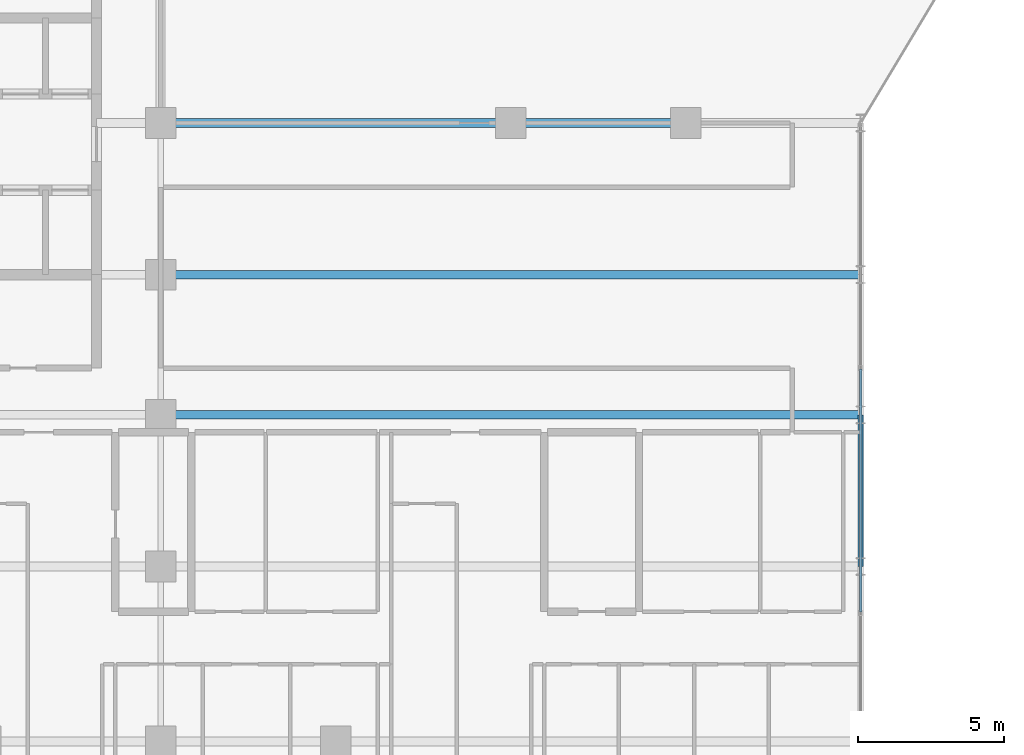
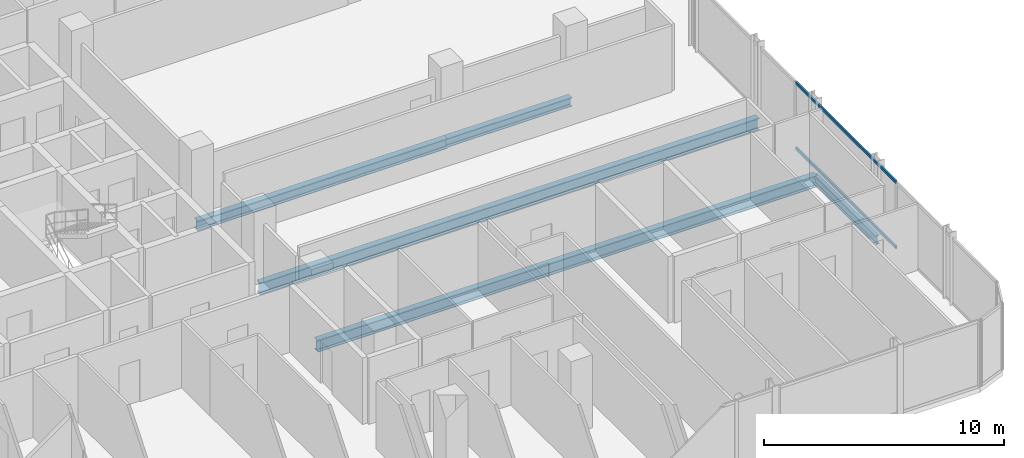
# One storey, part 11 of 29: 5 beams, 2 members, 1 element without a shape of its own.
"""IFC4 building model written with IfcOpenShell, lengths in metres."""

import ifcopenshell
import ifcopenshell.guid

model = None  # the IFC model being written
_history = None  # IfcOwnerHistory: only IFC2X3 demands one
_inside = {}  # id of a spatial element -> (the spatial element, [elements in it])
_under = {}  # id of a project, library or spatial element -> (it, [spatial elements below it])
_declared = {}  # id of a project -> (the project, [libraries it declares])
_typed = {}  # id of a type object -> (the type object, [elements of that type])
_made_of = {}  # id of a material, layer set ... -> (it, [elements and type objects made of it])


def new_model(schema):
    """Start an empty IFC model of exactly this schema.

    Asked for "IFC4X3", IfcOpenShell would pick the latest addendum, in which some entities
    have other attributes; the version numbers below select the first issue.
    IFC2X3 requires an IfcOwnerHistory on every rooted entity: one is made here for all.
    """
    global model, _history
    if schema == "IFC4X3":
        model = ifcopenshell.file(schema_version=(4, 3, 0, 0))
    else:
        model = ifcopenshell.file(schema=schema)
    _inside.clear()
    _under.clear()
    _declared.clear()
    _typed.clear()
    _made_of.clear()
    _history = None
    if model.schema == "IFC2X3":
        org = make("IfcOrganization", Name="unknown")
        user = make(
            "IfcPersonAndOrganization",
            ThePerson=make("IfcPerson", FamilyName="unknown"),
            TheOrganization=org,
        )
        app = make(
            "IfcApplication",
            ApplicationDeveloper=org,
            Version="unknown",
            ApplicationFullName="unknown",
            ApplicationIdentifier="unknown",
        )
        _history = make(
            "IfcOwnerHistory",
            OwningUser=user,
            OwningApplication=app,
            ChangeAction="ADDED",
            CreationDate=0,
        )
    return model


def make(cls, **values):
    """One entity of the class cls with the attributes given. An attribute that is None is left unset."""
    return model.create_entity(
        cls, **{name: value for name, value in values.items() if value is not None}
    )


def rooted(cls, **values):
    """An entity with a GlobalId (a new one), such as an element, a storey or a relation."""
    return make(cls, GlobalId=ifcopenshell.guid.new(), OwnerHistory=_history, **values)


def si_unit(unit_type, name, prefix=None):
    """IfcSIUnit, for example si_unit("LENGTHUNIT", "METRE", prefix="MILLI")."""
    return make("IfcSIUnit", UnitType=unit_type, Prefix=prefix, Name=name)


def assignment(units):
    """IfcUnitAssignment: the units of a project."""
    return None if units is None else make("IfcUnitAssignment", Units=units)


def point(xyz):
    """IfcCartesianPoint."""
    return None if xyz is None else make("IfcCartesianPoint", Coordinates=xyz)


def direction(xyz):
    """IfcDirection."""
    return None if xyz is None else make("IfcDirection", DirectionRatios=xyz)


def frame(location, z_axis=None, x_axis=None):
    """IfcAxis2Placement3D, a coordinate frame: its origin and axes. An axis left out is left unset."""
    return make(
        "IfcAxis2Placement3D",
        Location=point(location),
        Axis=direction(z_axis),
        RefDirection=direction(x_axis),
    )


def frame_2d(location, x_axis=None):
    """IfcAxis2Placement2D, a coordinate frame in the plane: its origin and x axis."""
    return make(
        "IfcAxis2Placement2D", Location=point(location), RefDirection=direction(x_axis)
    )


def origin():
    """The frame at (0, 0, 0) with its axes left unset."""
    return frame((0.0, 0.0, 0.0))


def origin_2d():
    """The frame at (0, 0) in the plane with its x axis left unset."""
    return frame_2d((0.0, 0.0))


def place(relative_to, where):
    """IfcLocalPlacement: puts the frame where relative to a parent placement (None: the world)."""
    return make(
        "IfcLocalPlacement", PlacementRelTo=relative_to, RelativePlacement=where
    )


def context(
    kind, dimensions, precision=None, world=None, true_north=None, identifier=None
):
    """IfcGeometricRepresentationContext, for example the 3D "Model" context."""
    return make(
        "IfcGeometricRepresentationContext",
        ContextIdentifier=identifier,
        ContextType=kind,
        CoordinateSpaceDimension=dimensions,
        Precision=precision,
        WorldCoordinateSystem=world,
        TrueNorth=true_north,
    )


def subcontext(parent, identifier, kind, view, scale=None):
    """IfcGeometricRepresentationSubContext, for example "Body" below "Model"."""
    return make(
        "IfcGeometricRepresentationSubContext",
        ContextIdentifier=identifier,
        ContextType=kind,
        ParentContext=parent,
        TargetScale=scale,
        TargetView=view,
    )


def project(units=None, contexts=None):
    """IfcProject with its units and contexts."""
    return rooted(
        "IfcProject",
        Name="project",
        RepresentationContexts=contexts,
        UnitsInContext=assignment(units),
    )


def spatial(cls, under=None, at=None, **own):
    """A site, building, storey or space (cls), placed at a placement, below another one or the project."""
    s = rooted(cls, ObjectPlacement=at, **own)
    if under is not None:
        _under.setdefault(under.id(), (under, []))[1].append(s)
    return s


def profile(cls, at=None, kind="AREA", **sizes):
    """A parametric profile (cls). Its sizes go by their IFC names, for example OverallWidth=200.0."""
    return make(cls, ProfileType=kind, Position=at, **sizes)


def hollow_rectangle(**sizes):
    """IfcRectangleHollowProfileDef."""
    return profile("IfcRectangleHollowProfileDef", **sizes)


def i_section(**sizes):
    """IfcIShapeProfileDef."""
    return profile("IfcIShapeProfileDef", **sizes)


def extrude(swept, where, along, depth):
    """IfcExtrudedAreaSolid: the profile swept, set in the frame where, extruded along a direction by depth."""
    return make(
        "IfcExtrudedAreaSolid",
        SweptArea=swept,
        Position=where,
        ExtrudedDirection=direction(along),
        Depth=depth,
    )


def shape(context_of_items, identifier, shape_type, items):
    """IfcShapeRepresentation: the items that make up one representation, for example the "Body"."""
    return make(
        "IfcShapeRepresentation",
        ContextOfItems=context_of_items,
        RepresentationIdentifier=identifier,
        RepresentationType=shape_type,
        Items=items,
    )


def material(Name=None, Category=None):
    """IfcMaterial."""
    return make("IfcMaterial", Name=Name, Category=Category)


def layer(
    of_material, thickness, ventilated=None, Name=None, Category=None, Priority=None
):
    """IfcMaterialLayer: one layer of a wall or slab, of a material (None: an air gap)."""
    return make(
        "IfcMaterialLayer",
        Material=of_material,
        LayerThickness=thickness,
        IsVentilated=ventilated,
        Name=Name,
        Category=Category,
        Priority=Priority,
    )


def layer_set(layers, Name=None):
    """IfcMaterialLayerSet."""
    return make("IfcMaterialLayerSet", MaterialLayers=layers, LayerSetName=Name)


def material_profile(
    of_material, cross_section, Name=None, Category=None, Priority=None
):
    """IfcMaterialProfile: a cross section and its material."""
    return make(
        "IfcMaterialProfile",
        Name=Name,
        Material=of_material,
        Profile=cross_section,
        Priority=Priority,
        Category=Category,
    )


def profile_set(profiles, Name=None, composite=None):
    """IfcMaterialProfileSet."""
    return make(
        "IfcMaterialProfileSet",
        Name=Name,
        MaterialProfiles=profiles,
        CompositeProfile=composite,
    )


def made_of(thing, what):
    """Note that an element or type object is made of a material, layer set ...; save() writes the relation."""
    if what is not None:
        _made_of.setdefault(what.id(), (what, []))[1].append(thing)
    return thing


def type_object(cls, material=None, **own):
    """A type object (cls), such as IfcWallType, which elements share."""
    return made_of(rooted(cls, **own), material)


def element(
    cls,
    number,
    at=None,
    inside=None,
    cuts=None,
    type_object=None,
    material=None,
    context=None,
    identifier="Body",
    shape_type=None,
    held_by="IfcProductDefinitionShape",
    body=None,
    shapes=None,
    **own,
):
    """One element of the class cls, such as IfcWall. Its Tag is "e" and its number.

    at: its placement. inside: the storey or other place that contains it. cuts: it is an
    opening in that element (IfcRelVoidsElement). A single representation is given by context,
    identifier, shape_type and body (its items); several are given by shapes. held_by: the class
    of the entity that holds the representations. save() writes the other relations.
    """
    e = rooted(cls, Tag="e%d" % number, ObjectPlacement=at, **own)
    if body is not None:
        shapes = [shape(context, identifier, shape_type, body)]
    if shapes is not None:
        e.Representation = make(held_by, Representations=shapes)
    if inside is not None:
        _inside.setdefault(inside.id(), (inside, []))[1].append(e)
    if cuts is not None:
        rooted(
            "IfcRelVoidsElement", RelatingBuildingElement=cuts, RelatedOpeningElement=e
        )
    if type_object is not None:
        _typed.setdefault(type_object.id(), (type_object, []))[1].append(e)
    return made_of(e, material)


def aggregate(whole, parts):
    """IfcRelAggregates: a whole, such as a stair, and the parts it consists of."""
    return rooted("IfcRelAggregates", RelatingObject=whole, RelatedObjects=parts)


def save(model, path):
    """Write the relations noted so far, then the file.

    IfcRelAggregates (storeys below a building ...), IfcRelContainedInSpatialStructure (elements
    in a storey), IfcRelDefinesByType, IfcRelAssociatesMaterial and IfcRelDeclares: one each for
    every whole, place, type object, material and project.
    """
    for whole, parts in _under.values():
        aggregate(whole, parts)
    for where, things in _inside.values():
        rooted(
            "IfcRelContainedInSpatialStructure",
            RelatedElements=things,
            RelatingStructure=where,
        )
    for kind, things in _typed.values():
        rooted("IfcRelDefinesByType", RelatedObjects=things, RelatingType=kind)
    for what, things in _made_of.values():
        rooted("IfcRelAssociatesMaterial", RelatedObjects=things, RelatingMaterial=what)
    for by, libraries in _declared.values():
        rooted("IfcRelDeclares", RelatingContext=by, RelatedDefinitions=libraries)
    model.write(path)


model = new_model("IFC4")

# Units and contexts
model_context = context("Model", 3, precision=1e-05, world=origin(), true_north=direction((0.0, 1.0)))
body_context = subcontext(model_context, "Body", "Model", "MODEL_VIEW")
ifc_project = project(units=[si_unit("LENGTHUNIT", "METRE"), si_unit("AREAUNIT", "SQUARE_METRE"), si_unit("VOLUMEUNIT", "CUBIC_METRE"), si_unit("PLANEANGLEUNIT", "RADIAN"), si_unit("MASSUNIT", "GRAM", prefix="KILO")], contexts=[model_context])

# Site, building, storey
site_placement = place(None, origin())
site = spatial("IfcSite", under=ifc_project, at=site_placement, CompositionType="ELEMENT")
building_placement = place(site_placement, origin())
building = spatial("IfcBuilding", under=site, at=building_placement, Name="Keshet Zoharim Tower", CompositionType="ELEMENT")
storey_placement = place(building_placement, frame((0.0, 0.0, 105.699951171875)))
storey = spatial("IfcBuildingStorey", under=building, at=storey_placement, Name="L25", CompositionType="ELEMENT", Elevation=105.699951171875)

# Beams
ifc_material_1 = material(Name="Steel S355", Category="steel")
ifc_material_profile_1 = material_profile(ifc_material_1, i_section(OverallWidth=0.300048828125, OverallDepth=0.60009765625, WebThickness=0.015380859375, FlangeThickness=0.030029296875, FilletRadius=0.027099609375, at=origin_2d()), Name="HEB600")
ifc_profile_set_1 = profile_set([ifc_material_profile_1], Name="Steel S355")
beam_type_1 = type_object("IfcBeamType", Name="BM-LNG-HB600", PredefinedType="BEAM", material=ifc_profile_set_1)
for number, where, z_axis, x_axis, name in (
    (1, (33.0, 17.89990234375, -0.614990234375), (1.0, 0.0, 0.0), (0.0, 1.0, 0.0), "L25 Primary Girder X-013"),
    (2, (33.0, 22.699951171875, -0.614990234375), (1.0, 0.0, 0.0), (0.0, 1.0, 0.0), "L25 Primary Girder X-014"),
):
    element("IfcBeam", number, at=place(storey_placement, frame(where, z_axis=z_axis, x_axis=x_axis)), inside=storey, type_object=beam_type_1, Name=name, PredefinedType="BEAM", context=body_context, shape_type="SweptSolid", body=[
        extrude(i_section(OverallWidth=0.300048828125, OverallDepth=0.60009765625, WebThickness=0.015380859375, FlangeThickness=0.030029296875, FilletRadius=0.027099609375, at=origin_2d()), origin(), (0.0, 0.0, 1.0), 24.0),
    ])
ifc_material_profile_2 = material_profile(ifc_material_1, i_section(OverallWidth=0.300048828125, OverallDepth=0.5, WebThickness=0.014404296875, FlangeThickness=0.028076171875, FilletRadius=0.027099609375, at=origin_2d()), Name="HEB500")
ifc_profile_set_2 = profile_set([ifc_material_profile_2], Name="Steel S355")
beam_type_2 = type_object("IfcBeamType", Name="BM-MED-HB500", PredefinedType="BEAM", material=ifc_profile_set_2)
beam_1_placement = place(storey_placement, frame((33.0, 27.89990234375, -0.56494140625), z_axis=(1.0, 0.0, 0.0), x_axis=(0.0, 1.0, 0.0)))
element("IfcBeam", 3, at=beam_1_placement, inside=storey, type_object=beam_type_2, Name="L25 Primary Girder X-015", PredefinedType="BEAM", context=body_context, shape_type="SweptSolid", body=[
    extrude(i_section(OverallWidth=0.300048828125, OverallDepth=0.5, WebThickness=0.014404296875, FlangeThickness=0.028076171875, FilletRadius=0.027099609375, at=origin_2d()), origin(), (0.0, 0.0, 1.0), 12.0),
])
ifc_material_profile_3 = material_profile(ifc_material_1, i_section(OverallWidth=0.18994140625, OverallDepth=0.449951171875, WebThickness=0.009521484375, FlangeThickness=0.0146484375, FilletRadius=0.02099609375, at=origin_2d()), Name="IPE450")
ifc_profile_set_3 = profile_set([ifc_material_profile_3], Name="Steel S355")
beam_type_3 = type_object("IfcBeamType", Name="BM-PRI-IP450", PredefinedType="BEAM", material=ifc_profile_set_3)
beam_2_placement = place(storey_placement, frame((57.0, 12.699951171875, -0.5400390625), z_axis=(0.0, 1.0, 0.0), x_axis=(-1.0, 0.0, 0.0)))
element("IfcBeam", 4, at=beam_2_placement, inside=storey, type_object=beam_type_3, Name="L25 Primary Girder Y-014", PredefinedType="BEAM", context=body_context, shape_type="SweptSolid", body=[
    extrude(i_section(OverallWidth=0.18994140625, OverallDepth=0.449951171875, WebThickness=0.009521484375, FlangeThickness=0.0146484375, FilletRadius=0.02099609375, at=origin_2d()), origin(), (0.0, 0.0, 1.0), 5.199951171875),
])
ifc_material_profile_4 = material_profile(ifc_material_1, i_section(OverallWidth=0.300048828125, OverallDepth=0.449951171875, WebThickness=0.013916015625, FlangeThickness=0.02587890625, FilletRadius=0.027099609375, at=origin_2d()), Name="HEB450")
ifc_profile_set_4 = profile_set([ifc_material_profile_4], Name="Steel S355")
beam_type_4 = type_object("IfcBeamType", Name="BM-WEB-HB450", PredefinedType="BEAM", material=ifc_profile_set_4)
beam_3_placement = place(storey_placement, frame((45.0, 27.89990234375, -0.5400390625), z_axis=(1.0, 0.0, 0.0), x_axis=(0.0, 1.0, 0.0)))
element("IfcBeam", 5, at=beam_3_placement, inside=storey, type_object=beam_type_4, Name="L25 Primary Girder X-016", PredefinedType="BEAM", context=body_context, shape_type="SweptSolid", body=[
    extrude(i_section(OverallWidth=0.300048828125, OverallDepth=0.449951171875, WebThickness=0.013916015625, FlangeThickness=0.02587890625, FilletRadius=0.027099609375, at=origin_2d()), origin(), (0.0, 0.0, 1.0), 6.0),
])

# Curtain wall, members
ifc_material_2 = material(Name="Aluminium 6063-T6", Category="aluminium")
ifc_layer = layer(ifc_material_2, 0.159912109375)
ifc_layer_set = layer_set([ifc_layer], Name="Aluminium 6063-T6")
curtain_wall_type = type_object("IfcCurtainWallType", Name="CW-SYS-03", PredefinedType="NOTDEFINED", material=ifc_layer_set)
curtain_wall_placement = place(storey_placement, origin())
curtain_wall = element("IfcCurtainWall", 6, at=curtain_wall_placement, inside=storey, type_object=curtain_wall_type, Name="L25 Unitised Curtain Wall 19", PredefinedType="NOTDEFINED")
ifc_material_profile_5 = material_profile(ifc_material_2, hollow_rectangle(XDim=0.080078125, YDim=0.139892578125, WallThickness=0.00390625, at=origin_2d()), Name="TRN-80x140")
ifc_profile_set_5 = profile_set([ifc_material_profile_5], Name="Aluminium 6063-T6")
member_type = type_object("IfcMemberType", Name="CWT-T14", PredefinedType="USERDEFINED", material=ifc_profile_set_5)
member_1_placement = place(storey_placement, frame((57.0, 19.465087890625, 0.03515625), z_axis=(0.0, -1.0, 0.0), x_axis=(1.0, 0.0, 0.0)))
member_1 = element("IfcMember", 7, at=member_1_placement, type_object=member_type, Name="CW-03 transom 2.1", ObjectType="TRANSOM", PredefinedType="USERDEFINED", context=body_context, shape_type="SweptSolid", body=[
    extrude(hollow_rectangle(XDim=0.080078125, YDim=0.139892578125, WallThickness=0.00390625, at=origin_2d()), origin(), (0.0, 0.0, 1.0), 8.330078125),
])
member_2_placement = place(storey_placement, frame((57.0, 19.465087890625, 3.35009765625), z_axis=(0.0, -1.0, 0.0), x_axis=(1.0, 0.0, 0.0)))
member_2 = element("IfcMember", 8, at=member_2_placement, type_object=member_type, Name="CW-03 transom 2.2", ObjectType="TRANSOM", PredefinedType="USERDEFINED", context=body_context, shape_type="SweptSolid", body=[
    extrude(hollow_rectangle(XDim=0.080078125, YDim=0.139892578125, WallThickness=0.00390625, at=origin_2d()), origin(), (0.0, 0.0, 1.0), 8.330078125),
])
aggregate(curtain_wall, [member_1, member_2])

save(model, "model.ifc")
